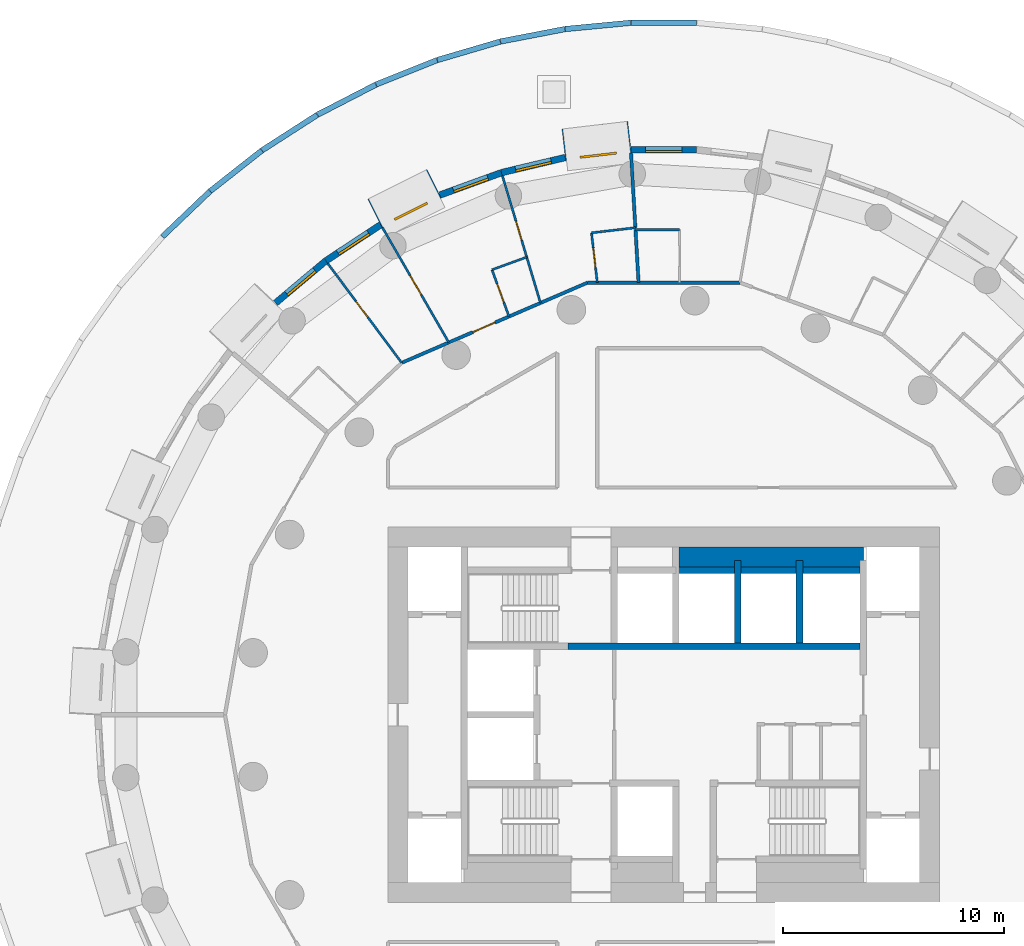
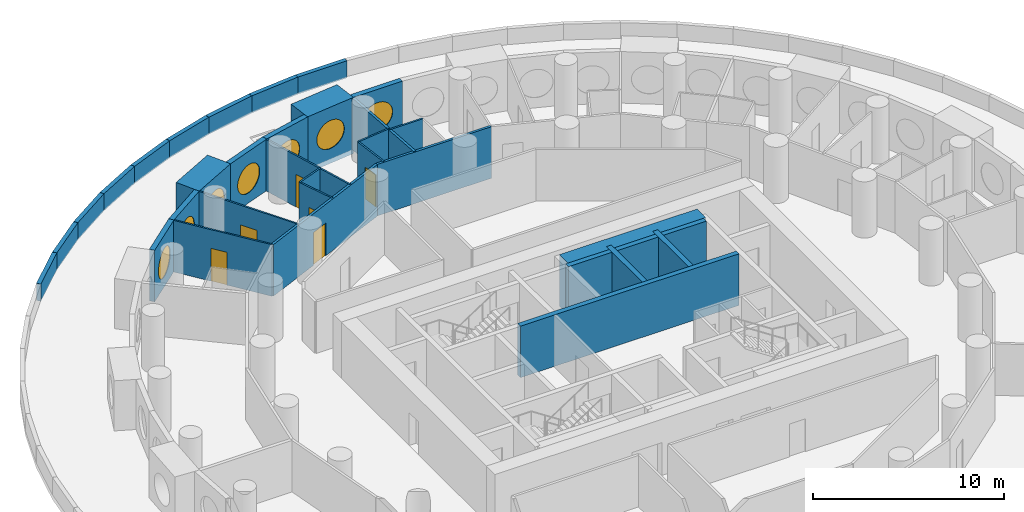
# One storey, part 7 of 13: 34 walls, 7 windows, 6 doors, 13 openings.
"""IFC4 building model written with IfcOpenShell, lengths in metres."""

from ifc_helpers import new_model, si_unit, direction, frame, frame_2d, origin, origin_2d, place, context, subcontext, project, spatial, rectangle, circle, extrude, material, layer, layer_set, type_object, element, fill, save


model = new_model("IFC4")

# Units and contexts
model_context = context("Model", 3, precision=1e-05, world=origin(), true_north=direction((0.0, 1.0)))
body_context = subcontext(model_context, "Body", "Model", "MODEL_VIEW")
ifc_project = project(units=[si_unit("LENGTHUNIT", "METRE"), si_unit("AREAUNIT", "SQUARE_METRE"), si_unit("VOLUMEUNIT", "CUBIC_METRE"), si_unit("PLANEANGLEUNIT", "RADIAN"), si_unit("MASSUNIT", "GRAM", prefix="KILO")], contexts=[model_context])

# Site, building, storey
site_placement = place(None, origin())
site = spatial("IfcSite", under=ifc_project, at=site_placement, CompositionType="ELEMENT")
building_placement = place(site_placement, origin())
building = spatial("IfcBuilding", under=site, at=building_placement, Name="Tracery Tower", CompositionType="ELEMENT")
storey_placement = place(building_placement, frame((0.0, 0.0, 126.0)))
storey = spatial("IfcBuildingStorey", under=building, at=storey_placement, Name="L31", CompositionType="ELEMENT", Elevation=126.0)

# Wall
ifc_material_1 = material(Name="Concrete C50/60", Category="concrete")
ifc_layer_1 = layer(ifc_material_1, 0.89990234375)
ifc_layer_set_1 = layer_set([ifc_layer_1], Name="Core strip wall 900 C50")
wall_type_1 = type_object("IfcWallType", Name="Core strip wall 900 C50", PredefinedType="SOLIDWALL", material=ifc_layer_set_1)
wall_1_placement = place(storey_placement, frame((0.699951171875, 7.14990234375, 0.0), z_axis=(0.0, 0.0, 1.0), x_axis=(1.0, 0.0, 0.0)))
element("IfcWall", 1, at=wall_1_placement, inside=storey, type_object=wall_type_1, Name="L31 F thick N E", PredefinedType="SOLIDWALL", context=body_context, shape_type="SweptSolid", body=[
    extrude(rectangle(XDim=8.35009765625, YDim=0.89990234375, at=frame_2d((4.175048828125, 0.0))), origin(), (0.0, 0.0, 1.0), 3.300048828125),
])

# Wall, opening, window
ifc_material_2 = material(Name="Precast concrete C50/60", Category="concrete")
ifc_layer_2 = layer(ifc_material_2, 1.449951171875)
ifc_layer_set_2 = layer_set([ifc_layer_2], Name="Deep-set bay unit 3000 x 3600, slab edge 300")
wall_type_2 = type_object("IfcWallType", Name="Deep-set bay unit 3000 x 3600, slab edge 300", PredefinedType="ELEMENTEDWALL", material=ifc_layer_set_2)
wall_2_placement = place(storey_placement, frame((-1.54931640625, 26.17626953125, -0.300048828125), z_axis=(0.0, 0.0, 1.0), x_axis=(-0.9932342274, -0.116128246006, 0.0)))
wall_2 = element("IfcWall", 2, at=wall_2_placement, inside=storey, type_object=wall_type_2, Name="Deep-set bay unit 15 at L31", PredefinedType="ELEMENTEDWALL", context=body_context, shape_type="SweptSolid", body=[
    extrude(rectangle(XDim=3.0, YDim=1.449951171875, at=frame_2d((1.5, 0.0))), origin(), (0.0, 0.0, 1.0), 3.60009765625),
])
opening_1_placement = place(wall_2_placement, frame((1.5, 0.0, 1.85009765625)))
opening_1 = element("IfcOpeningElement", 3, at=opening_1_placement, cuts=wall_2, Name="Opening WN1", PredefinedType="OPENING", context=body_context, shape_type="SweptSolid", body=[
    extrude(circle(Radius=0.9000244140625, at=origin_2d()), frame((0.0, 0.73486328125, 0.0), z_axis=(0.0, -1.0, 0.0), x_axis=(1.0, 0.0, 0.0)), (0.0, 0.0, 1.0), 1.469970703125),
])
ifc_material_3 = material(Name="Aluminium frame with tinted double glazing", Category="aluminium")
window_type = type_object("IfcWindowType", Name="Round window 1800", PartitioningType="SINGLE_PANEL", PredefinedType="WINDOW", material=ifc_material_3)
window_1_placement = place(opening_1_placement, origin())
window_1 = element("IfcWindow", 4, at=window_1_placement, inside=storey, type_object=window_type, Name="Round window 15 at L31", OverallHeight=1.800048828125, OverallWidth=1.800048828125, PartitioningType="SINGLE_PANEL", PredefinedType="WINDOW", context=body_context, shape_type="SweptSolid", body=[
    extrude(circle(Radius=0.9000244140625, at=origin_2d()), frame((0.0, 0.69482421875, 0.0), z_axis=(0.0, -1.0, 0.0), x_axis=(1.0, 0.0, 0.0)), (0.0, 0.0, 1.0), 0.10009765625),
])
fill(opening_1, window_1)

wall_3_placement = place(storey_placement, frame((-10.40869140625, 24.067626953125, -0.300048828125), z_axis=(0.0, 0.0, 1.0), x_axis=(-0.893628249713, -0.448807922518, 0.0)))
wall_3 = element("IfcWall", 5, at=wall_3_placement, inside=storey, type_object=wall_type_2, Name="Deep-set bay unit 18 at L31", PredefinedType="ELEMENTEDWALL", context=body_context, shape_type="SweptSolid", body=[
    extrude(rectangle(XDim=3.0, YDim=1.449951171875, at=frame_2d((1.5, 0.0))), origin(), (0.0, 0.0, 1.0), 3.60009765625),
])
opening_2_placement = place(wall_3_placement, frame((1.5, 0.0, 1.85009765625)))
opening_2 = element("IfcOpeningElement", 6, at=opening_2_placement, cuts=wall_3, Name="Opening WN1", PredefinedType="OPENING", context=body_context, shape_type="SweptSolid", body=[
    extrude(circle(Radius=0.9000244140625, at=origin_2d()), frame((0.0, 0.73486328125, 0.0), z_axis=(0.0, -1.0, 0.0), x_axis=(1.0, 0.0, 0.0)), (0.0, 0.0, 1.0), 1.469970703125),
])
window_2_placement = place(opening_2_placement, origin())
window_2 = element("IfcWindow", 7, at=window_2_placement, inside=storey, type_object=window_type, Name="Round window 18 at L31", OverallHeight=1.800048828125, OverallWidth=1.800048828125, PartitioningType="SINGLE_PANEL", PredefinedType="WINDOW", context=body_context, shape_type="SweptSolid", body=[
    extrude(circle(Radius=0.9000244140625, at=origin_2d()), frame((0.0, 0.69482421875, 0.0), z_axis=(0.0, -1.0, 0.0), x_axis=(1.0, 0.0, 0.0)), (0.0, 0.0, 1.0), 0.10009765625),
])
fill(opening_2, window_2)

ifc_material_4 = material(Name="Precast concrete C50/60", Category="concrete")
ifc_layer_3 = layer(ifc_material_4, 0.300048828125)
ifc_layer_set_3 = layer_set([ifc_layer_3], Name="Facade panel 3000 x 3300")
wall_type_3 = type_object("IfcWallType", Name="Facade panel 3000 x 3300", PredefinedType="SOLIDWALL", material=ifc_layer_set_3)
wall_4_placement = place(storey_placement, frame((1.4912109375, 25.60400390625, 0.0), z_axis=(0.0, 0.0, 1.0), x_axis=(-1.0, 0.0, 0.0)))
wall_4 = element("IfcWall", 8, at=wall_4_placement, inside=storey, type_object=wall_type_3, Name="Facade panel 14 at L31", PredefinedType="SOLIDWALL", context=body_context, shape_type="SweptSolid", body=[
    extrude(rectangle(XDim=2.972900390625, YDim=0.300048828125, at=frame_2d((1.486328125, 0.0))), origin(), (0.0, 0.0, 1.0), 3.300048828125),
])
opening_3_placement = place(wall_4_placement, frame((1.486328125, 0.0, 1.5498046875)))
opening_3 = element("IfcOpeningElement", 9, at=opening_3_placement, cuts=wall_4, Name="Opening WN1", PredefinedType="OPENING", context=body_context, shape_type="SweptSolid", body=[
    extrude(circle(Radius=0.9000244140625, at=origin_2d()), frame((0.0, 0.159912109375, 0.0), z_axis=(0.0, -1.0, 0.0), x_axis=(1.0, 0.0, 0.0)), (0.0, 0.0, 1.0), 0.320068359375),
])
window_3_placement = place(opening_3_placement, origin())
window_3 = element("IfcWindow", 10, at=window_3_placement, inside=storey, type_object=window_type, Name="Round window 14 at L31", OverallHeight=1.800048828125, OverallWidth=1.800048828125, PartitioningType="SINGLE_PANEL", PredefinedType="WINDOW", context=body_context, shape_type="SweptSolid", body=[
    extrude(circle(Radius=0.9000244140625, at=origin_2d()), frame((0.0, 0.1201171875, 0.0), z_axis=(0.0, -1.0, 0.0), x_axis=(1.0, 0.0, 0.0)), (0.0, 0.0, 1.0), 0.10009765625),
])
fill(opening_3, window_3)

wall_5_placement = place(storey_placement, frame((-4.463134765625, 25.255615234375, 0.0), z_axis=(0.0, 0.0, 1.0), x_axis=(-0.973045378923, -0.230613725862, 0.0)))
wall_5 = element("IfcWall", 11, at=wall_5_placement, inside=storey, type_object=wall_type_3, Name="Facade panel 16 at L31", PredefinedType="SOLIDWALL", context=body_context, shape_type="SweptSolid", body=[
    extrude(rectangle(XDim=2.97265625, YDim=0.300048828125, at=frame_2d((1.486328125, 0.0))), origin(), (0.0, 0.0, 1.0), 3.300048828125),
])
opening_4_placement = place(wall_5_placement, frame((1.486328125, 0.0, 1.5498046875)))
opening_4 = element("IfcOpeningElement", 12, at=opening_4_placement, cuts=wall_5, Name="Opening WN1", PredefinedType="OPENING", context=body_context, shape_type="SweptSolid", body=[
    extrude(circle(Radius=0.9000244140625, at=origin_2d()), frame((0.0, 0.159912109375, 0.0), z_axis=(0.0, -1.0, 0.0), x_axis=(1.0, 0.0, 0.0)), (0.0, 0.0, 1.0), 0.320068359375),
])
window_4_placement = place(opening_4_placement, origin())
window_4 = element("IfcWindow", 13, at=window_4_placement, inside=storey, type_object=window_type, Name="Round window 16 at L31", OverallHeight=1.800048828125, OverallWidth=1.800048828125, PartitioningType="SINGLE_PANEL", PredefinedType="WINDOW", context=body_context, shape_type="SweptSolid", body=[
    extrude(circle(Radius=0.9000244140625, at=origin_2d()), frame((0.0, 0.1201171875, 0.0), z_axis=(0.0, -1.0, 0.0), x_axis=(1.0, 0.0, 0.0)), (0.0, 0.0, 1.0), 0.10009765625),
])
fill(opening_4, window_4)

wall_6_placement = place(storey_placement, frame((-7.355712890625, 24.570068359375, 0.0), z_axis=(0.0, 0.0, 1.0), x_axis=(-0.939690282133, -0.342026568652, 0.0)))
wall_6 = element("IfcWall", 14, at=wall_6_placement, inside=storey, type_object=wall_type_3, Name="Facade panel 17 at L31", PredefinedType="SOLIDWALL", context=body_context, shape_type="SweptSolid", body=[
    extrude(rectangle(XDim=2.972900390625, YDim=0.300048828125, at=frame_2d((1.486328125, 0.0))), origin(), (0.0, 0.0, 1.0), 3.300048828125),
])
opening_5_placement = place(wall_6_placement, frame((1.486328125, 0.0, 1.5498046875)))
opening_5 = element("IfcOpeningElement", 15, at=opening_5_placement, cuts=wall_6, Name="Opening WN1", PredefinedType="OPENING", context=body_context, shape_type="SweptSolid", body=[
    extrude(circle(Radius=0.9000244140625, at=origin_2d()), frame((0.0, 0.159912109375, 0.0), z_axis=(0.0, -1.0, 0.0), x_axis=(1.0, 0.0, 0.0)), (0.0, 0.0, 1.0), 0.320068359375),
])
window_5_placement = place(opening_5_placement, origin())
window_5 = element("IfcWindow", 16, at=window_5_placement, inside=storey, type_object=window_type, Name="Round window 17 at L31", OverallHeight=1.800048828125, OverallWidth=1.800048828125, PartitioningType="SINGLE_PANEL", PredefinedType="WINDOW", context=body_context, shape_type="SweptSolid", body=[
    extrude(circle(Radius=0.9000244140625, at=origin_2d()), frame((0.0, 0.1201171875, 0.0), z_axis=(0.0, -1.0, 0.0), x_axis=(1.0, 0.0, 0.0)), (0.0, 0.0, 1.0), 0.10009765625),
])
fill(opening_5, window_5)

wall_7_placement = place(storey_placement, frame((-12.831787109375, 22.2060546875, 0.0), z_axis=(0.0, 0.0, 1.0), x_axis=(-0.835508361394, -0.54947773207, 0.0)))
wall_7 = element("IfcWall", 17, at=wall_7_placement, inside=storey, type_object=wall_type_3, Name="Facade panel 19 at L31", PredefinedType="SOLIDWALL", context=body_context, shape_type="SweptSolid", body=[
    extrude(rectangle(XDim=2.972900390625, YDim=0.300048828125, at=frame_2d((1.486328125, 0.0))), origin(), (0.0, 0.0, 1.0), 3.300048828125),
])
opening_6_placement = place(wall_7_placement, frame((1.486328125, 0.0, 1.5498046875)))
opening_6 = element("IfcOpeningElement", 18, at=opening_6_placement, cuts=wall_7, Name="Opening WN1", PredefinedType="OPENING", context=body_context, shape_type="SweptSolid", body=[
    extrude(circle(Radius=0.9000244140625, at=origin_2d()), frame((0.0, 0.159912109375, 0.0), z_axis=(0.0, -1.0, 0.0), x_axis=(1.0, 0.0, 0.0)), (0.0, 0.0, 1.0), 0.320068359375),
])
window_6_placement = place(opening_6_placement, origin())
window_6 = element("IfcWindow", 19, at=window_6_placement, inside=storey, type_object=window_type, Name="Round window 19 at L31", OverallHeight=1.800048828125, OverallWidth=1.800048828125, PartitioningType="SINGLE_PANEL", PredefinedType="WINDOW", context=body_context, shape_type="SweptSolid", body=[
    extrude(circle(Radius=0.9000244140625, at=origin_2d()), frame((0.0, 0.1201171875, 0.0), z_axis=(0.0, -1.0, 0.0), x_axis=(1.0, 0.0, 0.0)), (0.0, 0.0, 1.0), 0.10009765625),
])
fill(opening_6, window_6)

wall_8_placement = place(storey_placement, frame((-15.315673828125, 20.572509765625, 0.0), z_axis=(0.0, 0.0, 1.0), x_axis=(-0.766008913364, -0.642829950023, 0.0)))
wall_8 = element("IfcWall", 20, at=wall_8_placement, inside=storey, type_object=wall_type_3, Name="Facade panel 20 at L31", PredefinedType="SOLIDWALL", context=body_context, shape_type="SweptSolid", body=[
    extrude(rectangle(XDim=2.972900390625, YDim=0.300048828125, at=frame_2d((1.486328125, 0.0))), origin(), (0.0, 0.0, 1.0), 3.300048828125),
])
opening_7_placement = place(wall_8_placement, frame((1.486328125, 0.0, 1.5498046875)))
opening_7 = element("IfcOpeningElement", 21, at=opening_7_placement, cuts=wall_8, Name="Opening WN1", PredefinedType="OPENING", context=body_context, shape_type="SweptSolid", body=[
    extrude(circle(Radius=0.9000244140625, at=origin_2d()), frame((0.0, 0.159912109375, 0.0), z_axis=(0.0, -1.0, 0.0), x_axis=(1.0, 0.0, 0.0)), (0.0, 0.0, 1.0), 0.320068359375),
])
window_7_placement = place(opening_7_placement, origin())
window_7 = element("IfcWindow", 22, at=window_7_placement, inside=storey, type_object=window_type, Name="Round window 20 at L31", OverallHeight=1.800048828125, OverallWidth=1.800048828125, PartitioningType="SINGLE_PANEL", PredefinedType="WINDOW", context=body_context, shape_type="SweptSolid", body=[
    extrude(circle(Radius=0.9000244140625, at=origin_2d()), frame((0.0, 0.1201171875, 0.0), z_axis=(0.0, -1.0, 0.0), x_axis=(1.0, 0.0, 0.0)), (0.0, 0.0, 1.0), 0.10009765625),
])
fill(opening_7, window_7)

# Wall, opening, door
ifc_material_5 = material(Name="Plasterboard on steel studs", Category="steel")
ifc_layer_4 = layer(ifc_material_5, 0.10009765625)
ifc_layer_set_4 = layer_set([ifc_layer_4], Name="Partition 100 stud")
wall_type_4 = type_object("IfcWallType", Name="Partition 100 stud", PredefinedType="PARTITIONING", material=ifc_layer_set_4)
wall_9_placement = place(storey_placement, frame((-12.7490234375, 22.0810546875, 0.0), z_axis=(0.0, 0.0, 1.0), x_axis=(0.50002935287, -0.866008456234, 0.0)))
wall_9 = element("IfcWall", 23, at=wall_9_placement, inside=storey, type_object=wall_type_4, Name="Stud partition RB1-065", PredefinedType="PARTITIONING", context=body_context, shape_type="SweptSolid", body=[
    extrude(rectangle(XDim=6.013916015625, YDim=0.10009765625, at=frame_2d((3.0068359375, 0.0))), origin(), (0.0, 0.0, 1.0), 3.300048828125),
])
opening_8_placement = place(wall_9_placement, frame((2.5068359375, 0.0, 0.0)))
opening_8 = element("IfcOpeningElement", 24, at=opening_8_placement, cuts=wall_9, Name="Opening RB1-20", PredefinedType="OPENING", context=body_context, shape_type="SweptSolid", body=[
    extrude(rectangle(XDim=1.0, YDim=2.0400390625, at=frame_2d((0.5, 1.02001953125))), frame((0.0, 0.050048828125, 0.0), z_axis=(0.0, -1.0, 0.0), x_axis=(1.0, 0.0, 0.0)), (0.0, 0.0, 1.0), 0.10009765625),
])
ifc_material_6 = material(Name="Timber door leaf", Category="wood")
door_type_1 = type_object("IfcDoorType", Name="Door communal room 1000", OperationType="NOTDEFINED", PredefinedType="DOOR", material=ifc_material_6)
door_1_placement = place(opening_8_placement, origin())
door_1 = element("IfcDoor", 25, at=door_1_placement, inside=storey, type_object=door_type_1, Name="Communal room door RB1-20", OperationType="SINGLE_SWING_RIGHT", OverallHeight=2.0400390625, OverallWidth=1.0, PredefinedType="DOOR", context=body_context, shape_type="SweptSolid", body=[
    extrude(rectangle(XDim=1.0, YDim=2.0400390625, at=frame_2d((0.5, 1.02001953125))), frame((0.0, 0.02490234375, 0.0), z_axis=(0.0, -1.0, 0.0), x_axis=(1.0, 0.0, 0.0)), (0.0, 0.0, 1.0), 0.050048828125),
])
fill(opening_8, door_1)

wall_10_placement = place(storey_placement, frame((-7.31298828125, 24.426025390625, 0.0), z_axis=(0.0, 0.0, 1.0), x_axis=(0.286823657337, -0.957983397347, 0.0)))
wall_10 = element("IfcWall", 26, at=wall_10_placement, inside=storey, type_object=wall_type_4, Name="Stud partition RB1-068", PredefinedType="PARTITIONING", context=body_context, shape_type="SweptSolid", body=[
    extrude(rectangle(XDim=3.845703125, YDim=0.10009765625, at=frame_2d((1.9228515625, 0.0))), origin(), (0.0, 0.0, 1.0), 3.300048828125),
])
opening_9_placement = place(wall_10_placement, frame((2.14990234375, 0.0, 0.0)))
opening_9 = element("IfcOpeningElement", 27, at=opening_9_placement, cuts=wall_10, Name="Opening RB1-22", PredefinedType="OPENING", context=body_context, shape_type="SweptSolid", body=[
    extrude(rectangle(XDim=0.89990234375, YDim=2.10009765625, at=frame_2d((0.449951171875, 1.050048828125))), frame((0.0, 0.050048828125, 0.0), z_axis=(0.0, -1.0, 0.0), x_axis=(1.0, 0.0, 0.0)), (0.0, 0.0, 1.0), 0.10009765625),
])
ifc_material_7 = material(Name="Timber door leaf", Category="wood")
door_type_2 = type_object("IfcDoorType", Name="Door bedroom 900", OperationType="NOTDEFINED", PredefinedType="DOOR", material=ifc_material_7)
door_2_placement = place(opening_9_placement, origin())
door_2 = element("IfcDoor", 28, at=door_2_placement, inside=storey, type_object=door_type_2, Name="Bedroom door RB1-22", OperationType="SINGLE_SWING_RIGHT", OverallHeight=2.10009765625, OverallWidth=0.89990234375, PredefinedType="DOOR", context=body_context, shape_type="SweptSolid", body=[
    extrude(rectangle(XDim=0.89990234375, YDim=2.10009765625, at=frame_2d((0.449951171875, 1.050048828125))), frame((0.0, 0.02490234375, 0.0), z_axis=(0.0, -1.0, 0.0), x_axis=(1.0, 0.0, 0.0)), (0.0, 0.0, 1.0), 0.050048828125),
])
fill(opening_9, door_2)

wall_11_placement = place(storey_placement, frame((-15.22607421875, 20.451904296875, 0.0), z_axis=(0.0, 0.0, 1.0), x_axis=(0.597155355437, -0.802125602056, 0.0)))
wall_11 = element("IfcWall", 29, at=wall_11_placement, inside=storey, type_object=wall_type_4, Name="Stud partition RB1-069", PredefinedType="PARTITIONING", context=body_context, shape_type="SweptSolid", body=[
    extrude(rectangle(XDim=5.610107421875, YDim=0.10009765625, at=frame_2d((2.80517578125, 0.0))), origin(), (0.0, 0.0, 1.0), 3.300048828125),
])
opening_10_placement = place(wall_11_placement, frame((2.138916015625, 0.0, 0.0)))
opening_10 = element("IfcOpeningElement", 30, at=opening_10_placement, cuts=wall_11, Name="Opening RB1-24", PredefinedType="OPENING", context=body_context, shape_type="SweptSolid", body=[
    extrude(rectangle(XDim=0.89990234375, YDim=2.10009765625, at=frame_2d((0.449951171875, 1.050048828125))), frame((0.0, 0.050048828125, 0.0), z_axis=(0.0, -1.0, 0.0), x_axis=(1.0, 0.0, 0.0)), (0.0, 0.0, 1.0), 0.10009765625),
])
door_3_placement = place(opening_10_placement, origin())
door_3 = element("IfcDoor", 31, at=door_3_placement, inside=storey, type_object=door_type_2, Name="Bedroom door RB1-24", OperationType="SINGLE_SWING_RIGHT", OverallHeight=2.10009765625, OverallWidth=0.89990234375, PredefinedType="DOOR", context=body_context, shape_type="SweptSolid", body=[
    extrude(rectangle(XDim=0.89990234375, YDim=2.10009765625, at=frame_2d((0.449951171875, 1.050048828125))), frame((0.0, 0.02490234375, 0.0), z_axis=(0.0, -1.0, 0.0), x_axis=(1.0, 0.0, 0.0)), (0.0, 0.0, 1.0), 0.050048828125),
])
fill(opening_10, door_3)

# Walls
ifc_material_8 = material(Name="Plasterboard on steel studs", Category="steel")
ifc_layer_5 = layer(ifc_material_8, 0.10009765625)
ifc_layer_set_5 = layer_set([ifc_layer_5], Name="Partition 100 wet wall")
wall_type_5 = type_object("IfcWallType", Name="Partition 100 wet wall", PredefinedType="PARTITIONING", material=ifc_layer_set_5)
wall_12_placement = place(storey_placement, frame((-1.281005859375, 21.986083984375, 0.0), z_axis=(0.0, 0.0, 1.0), x_axis=(1.0, 0.0, 0.0)))
element("IfcWall", 32, at=wall_12_placement, inside=storey, type_object=wall_type_5, Name="Wet wall RB1-062", PredefinedType="PARTITIONING", context=body_context, shape_type="SweptSolid", body=[
    extrude(rectangle(XDim=1.998046875, YDim=0.10009765625, at=frame_2d((0.9990234375, 0.0))), origin(), (0.0, 0.0, 1.0), 3.300048828125),
])
wall_13_placement = place(storey_placement, frame((-7.784912109375, 20.1689453125, 0.0), z_axis=(0.0, 0.0, 1.0), x_axis=(0.939738119152, 0.341895111711, 0.0)))
element("IfcWall", 33, at=wall_13_placement, inside=storey, type_object=wall_type_5, Name="Wet wall RB1-066", PredefinedType="PARTITIONING", context=body_context, shape_type="SweptSolid", body=[
    extrude(rectangle(XDim=1.676025390625, YDim=0.10009765625, at=frame_2d((0.837890625, 0.0))), origin(), (0.0, 0.0, 1.0), 3.300048828125),
])

# Wall, opening, door
wall_14_placement = place(storey_placement, frame((-7.784912109375, 20.1689453125, 0.0), z_axis=(0.0, 0.0, 1.0), x_axis=(0.341934316543, -0.939723854742, 0.0)))
wall_14 = element("IfcWall", 34, at=wall_14_placement, inside=storey, type_object=wall_type_5, Name="Wet wall RB1-067", PredefinedType="PARTITIONING", context=body_context, shape_type="SweptSolid", body=[
    extrude(rectangle(XDim=2.2548828125, YDim=0.10009765625, at=frame_2d((1.12744140625, 0.0))), origin(), (0.0, 0.0, 1.0), 3.300048828125),
])
opening_11_placement = place(wall_14_placement, frame((0.677001953125, 0.0, 0.0)))
opening_11 = element("IfcOpeningElement", 35, at=opening_11_placement, cuts=wall_14, Name="Opening RB1-21", PredefinedType="OPENING", context=body_context, shape_type="SweptSolid", body=[
    extrude(rectangle(XDim=0.89990234375, YDim=2.0, at=frame_2d((0.449951171875, 1.0))), frame((0.0, 0.050048828125, 0.0), z_axis=(0.0, -1.0, 0.0), x_axis=(1.0, 0.0, 0.0)), (0.0, 0.0, 1.0), 0.10009765625),
])
ifc_material_9 = material(Name="Timber door leaf", Category="wood")
door_type_3 = type_object("IfcDoorType", Name="Door shower room 900", OperationType="NOTDEFINED", PredefinedType="DOOR", material=ifc_material_9)
door_4_placement = place(opening_11_placement, origin())
door_4 = element("IfcDoor", 36, at=door_4_placement, inside=storey, type_object=door_type_3, Name="Shower room door RB1-21", OperationType="SINGLE_SWING_LEFT", OverallHeight=2.0, OverallWidth=0.89990234375, PredefinedType="DOOR", context=body_context, shape_type="SweptSolid", body=[
    extrude(rectangle(XDim=0.89990234375, YDim=2.0, at=frame_2d((0.449951171875, 1.0))), frame((0.0, 0.02490234375, 0.0), z_axis=(0.0, -1.0, 0.0), x_axis=(1.0, 0.0, 0.0)), (0.0, 0.0, 1.0), 0.050048828125),
])
fill(opening_11, door_4)

# Walls
wall_15_placement = place(storey_placement, frame((-6.2099609375, 20.741943359375, 0.0), z_axis=(0.0, 0.0, 1.0), x_axis=(0.286924287417, -0.957953262581, 0.0)))
element("IfcWall", 37, at=wall_15_placement, inside=storey, type_object=wall_type_5, Name="Wet wall RB1-070", PredefinedType="PARTITIONING", context=body_context, shape_type="SweptSolid", body=[
    extrude(rectangle(XDim=2.16796875, YDim=0.10009765625, at=frame_2d((1.083984375, 0.0))), origin(), (0.0, 0.0, 1.0), 3.300048828125),
])
wall_16_placement = place(storey_placement, frame((-3.27490234375, 21.842041015625, 0.0), z_axis=(0.0, 0.0, 1.0), x_axis=(0.993269919916, 0.115822563388, 0.0)))
element("IfcWall", 38, at=wall_16_placement, inside=storey, type_object=wall_type_5, Name="Wet wall RB1-071", PredefinedType="PARTITIONING", context=body_context, shape_type="SweptSolid", body=[
    extrude(rectangle(XDim=2.00244140625, YDim=0.10009765625, at=frame_2d((1.001220703125, 0.0))), origin(), (0.0, 0.0, 1.0), 3.300048828125),
])

# Wall, opening, door
wall_17_placement = place(storey_placement, frame((-3.27490234375, 21.842041015625, 0.0), z_axis=(0.0, 0.0, 1.0), x_axis=(0.115762284594, -0.993276947012, 0.0)))
wall_17 = element("IfcWall", 39, at=wall_17_placement, inside=storey, type_object=wall_type_5, Name="Wet wall RB1-072", PredefinedType="PARTITIONING", context=body_context, shape_type="SweptSolid", body=[
    extrude(rectangle(XDim=2.271484375, YDim=0.10009765625, at=frame_2d((1.1357421875, 0.0))), origin(), (0.0, 0.0, 1.0), 3.300048828125),
])
opening_12_placement = place(wall_17_placement, frame((0.68603515625, 0.0, 0.0)))
opening_12 = element("IfcOpeningElement", 40, at=opening_12_placement, cuts=wall_17, Name="Opening RB1-23", PredefinedType="OPENING", context=body_context, shape_type="SweptSolid", body=[
    extrude(rectangle(XDim=0.89990234375, YDim=2.0400390625, at=frame_2d((0.449951171875, 1.02001953125))), frame((0.0, 0.050048828125, 0.0), z_axis=(0.0, -1.0, 0.0), x_axis=(1.0, 0.0, 0.0)), (0.0, 0.0, 1.0), 0.10009765625),
])
ifc_material_10 = material(Name="Timber door leaf", Category="wood")
door_type_4 = type_object("IfcDoorType", Name="Door en-suite 900", OperationType="NOTDEFINED", PredefinedType="DOOR", material=ifc_material_10)
door_5_placement = place(opening_12_placement, origin())
door_5 = element("IfcDoor", 41, at=door_5_placement, inside=storey, type_object=door_type_4, Name="En-suite door RB1-23", OperationType="SINGLE_SWING_RIGHT", OverallHeight=2.0400390625, OverallWidth=0.89990234375, PredefinedType="DOOR", context=body_context, shape_type="SweptSolid", body=[
    extrude(rectangle(XDim=0.89990234375, YDim=2.0400390625, at=frame_2d((0.449951171875, 1.02001953125))), frame((0.0, 0.02490234375, 0.0), z_axis=(0.0, -1.0, 0.0), x_axis=(1.0, 0.0, 0.0)), (0.0, 0.0, 1.0), 0.050048828125),
])
fill(opening_12, door_5)

# Walls
ifc_material_11 = material(Name="Plasterboard on steel studs", Category="steel")
ifc_layer_6 = layer(ifc_material_11, 0.14990234375)
ifc_layer_set_6 = layer_set([ifc_layer_6], Name="Partition 150 acoustic unit wall")
wall_type_6 = type_object("IfcWallType", Name="Partition 150 acoustic unit wall", PredefinedType="PARTITIONING", material=ifc_layer_set_6)
wall_18_placement = place(storey_placement, frame((-1.48291015625, 25.4541015625, 0.0), z_axis=(0.0, 0.0, 1.0), x_axis=(0.058122482782, -0.998309459534, 0.0)))
element("IfcWall", 42, at=wall_18_placement, inside=storey, type_object=wall_type_6, Name="Unit wall RB1-063", PredefinedType="PARTITIONING", context=body_context, shape_type="SweptSolid", body=[
    extrude(rectangle(XDim=3.3896484375, YDim=0.14990234375, at=frame_2d((1.69482421875, 0.0))), origin(), (0.0, 0.0, 1.0), 3.300048828125),
])
wall_19_placement = place(storey_placement, frame((-1.281005859375, 21.986083984375, 0.0), z_axis=(0.0, 0.0, 1.0), x_axis=(0.058186267039, -0.998305743912, 0.0)))
element("IfcWall", 43, at=wall_19_placement, inside=storey, type_object=wall_type_6, Name="Unit wall RB1-064", PredefinedType="PARTITIONING", context=body_context, shape_type="SweptSolid", body=[
    extrude(rectangle(XDim=2.404296875, YDim=0.14990234375, at=frame_2d((1.2021484375, 0.0))), origin(), (0.0, 0.0, 1.0), 3.300048828125),
])
ifc_material_12 = material(Name="Plasterboard on steel studs", Category="steel")
ifc_layer_7 = layer(ifc_material_12, 0.14990234375)
ifc_layer_set_7 = layer_set([ifc_layer_7], Name="Partition 150 corridor wall")
wall_type_7 = type_object("IfcWallType", Name="Partition 150 corridor wall", PredefinedType="PARTITIONING", material=ifc_layer_set_7)
wall_20_placement = place(storey_placement, frame((-3.452880859375, 19.5859375, 0.0), z_axis=(0.0, 0.0, 1.0), x_axis=(1.0, 0.0, 0.0)))
element("IfcWall", 44, at=wall_20_placement, inside=storey, type_object=wall_type_7, Name="Corridor wall RB1-020", PredefinedType="PARTITIONING", context=body_context, shape_type="SweptSolid", body=[
    extrude(rectangle(XDim=6.90576171875, YDim=0.14990234375, at=frame_2d((3.452880859375, 0.0))), origin(), (0.0, 0.0, 1.0), 3.300048828125),
])

# Wall, opening, door
wall_21_placement = place(storey_placement, frame((-11.8759765625, 15.95166015625, 0.0), z_axis=(0.0, 0.0, 1.0), x_axis=(0.918189765505, 0.396140826629, 0.0)))
wall_21 = element("IfcWall", 45, at=wall_21_placement, inside=storey, type_object=wall_type_7, Name="Corridor wall RB1-021", PredefinedType="PARTITIONING", context=body_context, shape_type="SweptSolid", body=[
    extrude(rectangle(XDim=9.173583984375, YDim=0.14990234375, at=frame_2d((4.5869140625, 0.0))), origin(), (0.0, 0.0, 1.0), 3.300048828125),
])
opening_13_placement = place(wall_21_placement, frame((3.509765625, 0.0, 0.0)))
opening_13 = element("IfcOpeningElement", 46, at=opening_13_placement, cuts=wall_21, Name="Opening RB1-19", PredefinedType="OPENING", context=body_context, shape_type="SweptSolid", body=[
    extrude(rectangle(XDim=1.10009765625, YDim=2.10009765625, at=frame_2d((0.550048828125, 1.050048828125))), frame((0.0, 0.074951171875, 0.0), z_axis=(0.0, -1.0, 0.0), x_axis=(1.0, 0.0, 0.0)), (0.0, 0.0, 1.0), 0.14990234375),
])
ifc_material_13 = material(Name="Timber door leaf", Category="wood")
door_type_5 = type_object("IfcDoorType", Name="Door cluster entrance 1100", OperationType="NOTDEFINED", PredefinedType="DOOR", material=ifc_material_13)
door_6_placement = place(opening_13_placement, origin())
door_6 = element("IfcDoor", 47, at=door_6_placement, inside=storey, type_object=door_type_5, Name="Cluster entrance door RB1-19", OperationType="SINGLE_SWING_RIGHT", OverallHeight=2.10009765625, OverallWidth=1.10009765625, PredefinedType="DOOR", context=body_context, shape_type="SweptSolid", body=[
    extrude(rectangle(XDim=1.10009765625, YDim=2.10009765625, at=frame_2d((0.550048828125, 1.050048828125))), frame((0.0, 0.02490234375, 0.0), z_axis=(0.0, -1.0, 0.0), x_axis=(1.0, 0.0, 0.0)), (0.0, 0.0, 1.0), 0.050048828125),
])
fill(opening_13, door_6)

# Walls
ifc_material_14 = material(Name="Concrete C50/60", Category="concrete")
ifc_layer_8 = layer(ifc_material_14, 0.300048828125)
ifc_layer_set_8 = layer_set([ifc_layer_8], Name="Shaft wall 300 C50")
wall_type_8 = type_object("IfcWallType", Name="Shaft wall 300 C50", PredefinedType="SOLIDWALL", material=ifc_layer_set_8)
for number, where, z_axis, x_axis, name in (
    (48, (3.35009765625, 3.25, 0.0), (0.0, 0.0, 1.0), (0.0, 1.0, 0.0), "L31 HR sep 2"),
    (49, (6.14990234375, 3.25, 0.0), (0.0, 0.0, 1.0), (0.0, 1.0, 0.0), "L31 HR sep 3"),
):
    element("IfcWall", number, at=place(storey_placement, frame(where, z_axis=z_axis, x_axis=x_axis)), inside=storey, type_object=wall_type_8, Name=name, PredefinedType="SOLIDWALL", context=body_context, shape_type="SweptSolid", body=[
        extrude(rectangle(XDim=3.75, YDim=0.300048828125, at=frame_2d((1.875, 0.0))), origin(), (0.0, 0.0, 1.0), 3.300048828125),
    ])
ifc_material_15 = material(Name="Concrete C50/60", Category="concrete")
ifc_layer_9 = layer(ifc_material_15, 0.300048828125)
ifc_layer_set_9 = layer_set([ifc_layer_9], Name="Stair wall 300 C50")
wall_type_9 = type_object("IfcWallType", Name="Stair wall 300 C50", PredefinedType="SOLIDWALL", material=ifc_layer_set_9)
wall_22_placement = place(storey_placement, frame((-4.35009765625, 3.10009765625, 0.0), z_axis=(0.0, 0.0, 1.0), x_axis=(1.0, 0.0, 0.0)))
element("IfcWall", 50, at=wall_22_placement, inside=storey, type_object=wall_type_9, Name="L31 row N", PredefinedType="SOLIDWALL", context=body_context, shape_type="SweptSolid", body=[
    extrude(rectangle(XDim=13.25, YDim=0.300048828125, at=frame_2d((6.625, 0.0))), origin(), (0.0, 0.0, 1.0), 3.300048828125),
])
wall_23_placement = place(storey_placement, frame((0.550048828125, 6.550048828125, 0.0), z_axis=(0.0, 0.0, 1.0), x_axis=(1.0, 0.0, 0.0)))
element("IfcWall", 51, at=wall_23_placement, inside=storey, type_object=wall_type_9, Name="L31 F stair strip N E", PredefinedType="SOLIDWALL", context=body_context, shape_type="SweptSolid", body=[
    extrude(rectangle(XDim=8.349853515625, YDim=0.300048828125, at=frame_2d((4.1748046875, 0.0))), origin(), (0.0, 0.0, 1.0), 3.300048828125),
])
ifc_material_16 = material(Name="Precast concrete C50/60", Category="concrete")
ifc_layer_10 = layer(ifc_material_16, 0.25)
ifc_layer_set_10 = layer_set([ifc_layer_10], Name="Terrace parapet 250")
wall_type_10 = type_object("IfcWallType", Name="Terrace parapet 250", PredefinedType="PARAPET", material=ifc_layer_set_10)
for number, where, z_axis, x_axis, name in (
    (52, (1.487060546875, 31.364013671875, 0.0), (0.0, 0.0, 1.0), (-1.0, 0.0, 0.0), "Terrace parapet L31 17"),
    (53, (-1.5009765625, 31.36328125, 0.0), (0.0, 0.0, 1.0), (-0.995471830115, -0.095057011567, 0.0), "Terrace parapet L31 18"),
):
    element("IfcWall", number, at=place(storey_placement, frame(where, z_axis=z_axis, x_axis=x_axis)), inside=storey, type_object=wall_type_10, Name=name, PredefinedType="PARAPET", context=body_context, shape_type="SweptSolid", body=[
        extrude(rectangle(XDim=2.97412109375, YDim=0.25, at=frame_2d((1.487060546875, 0.0))), origin(), (0.0, 0.0, 1.0), 1.10009765625),
    ])
wall_24_placement = place(storey_placement, frame((-4.475341796875, 31.07861328125, 0.0), z_axis=(0.0, 0.0, 1.0), x_axis=(-0.98192380474, -0.189276627412, 0.0)))
element("IfcWall", 54, at=wall_24_placement, inside=storey, type_object=wall_type_10, Name="Terrace parapet L31 19", PredefinedType="PARAPET", context=body_context, shape_type="SweptSolid", body=[
    extrude(rectangle(XDim=2.974365234375, YDim=0.25, at=frame_2d((1.4873046875, 0.0))), origin(), (0.0, 0.0, 1.0), 1.10009765625),
])
wall_25_placement = place(storey_placement, frame((-7.409423828125, 30.512451171875, 0.0), z_axis=(0.0, 0.0, 1.0), x_axis=(-0.959497413058, -0.281717437045, 0.0)))
element("IfcWall", 55, at=wall_25_placement, inside=storey, type_object=wall_type_10, Name="Terrace parapet L31 20", PredefinedType="PARAPET", context=body_context, shape_type="SweptSolid", body=[
    extrude(rectangle(XDim=2.97412109375, YDim=0.25, at=frame_2d((1.487060546875, 0.0))), origin(), (0.0, 0.0, 1.0), 1.10009765625),
])
for number, where, z_axis, x_axis, name in (
    (56, (-10.276123046875, 29.669921875, 0.0), (0.0, 0.0, 1.0), (-0.928363429238, -0.371673705357, 0.0), "Terrace parapet L31 21"),
    (57, (-13.050048828125, 28.558837890625, 0.0), (0.0, 0.0, 1.0), (-0.888809436449, -0.458276974852, 0.0), "Terrace parapet L31 22"),
):
    element("IfcWall", number, at=place(storey_placement, frame(where, z_axis=z_axis, x_axis=x_axis)), inside=storey, type_object=wall_type_10, Name=name, PredefinedType="PARAPET", context=body_context, shape_type="SweptSolid", body=[
        extrude(rectangle(XDim=2.974365234375, YDim=0.25, at=frame_2d((1.4873046875, 0.0))), origin(), (0.0, 0.0, 1.0), 1.10009765625),
    ])
wall_26_placement = place(storey_placement, frame((-15.70556640625, 27.18896484375, 0.0), z_axis=(0.0, 0.0, 1.0), x_axis=(-0.841253148051, -0.540641416185, 0.0)))
element("IfcWall", 58, at=wall_26_placement, inside=storey, type_object=wall_type_10, Name="Terrace parapet L31 23", PredefinedType="PARAPET", context=body_context, shape_type="SweptSolid", body=[
    extrude(rectangle(XDim=2.97412109375, YDim=0.25, at=frame_2d((1.487060546875, 0.0))), origin(), (0.0, 0.0, 1.0), 1.10009765625),
])
wall_27_placement = place(storey_placement, frame((-18.218994140625, 25.572998046875, 0.0), z_axis=(0.0, 0.0, 1.0), x_axis=(-0.786039120206, -0.618176755876, 0.0)))
element("IfcWall", 59, at=wall_27_placement, inside=storey, type_object=wall_type_10, Name="Terrace parapet L31 24", PredefinedType="PARAPET", context=body_context, shape_type="SweptSolid", body=[
    extrude(rectangle(XDim=2.974365234375, YDim=0.25, at=frame_2d((1.4873046875, 0.0))), origin(), (0.0, 0.0, 1.0), 1.10009765625),
])
wall_28_placement = place(storey_placement, frame((-20.5673828125, 23.725341796875, 0.0), z_axis=(0.0, 0.0, 1.0), x_axis=(-0.723694638812, -0.69012032991, 0.0)))
element("IfcWall", 60, at=wall_28_placement, inside=storey, type_object=wall_type_10, Name="Terrace parapet L31 25", PredefinedType="PARAPET", context=body_context, shape_type="SweptSolid", body=[
    extrude(rectangle(XDim=2.97412109375, YDim=0.25, at=frame_2d((1.487060546875, 0.0))), origin(), (0.0, 0.0, 1.0), 1.10009765625),
])

save(model, "model.ifc")
